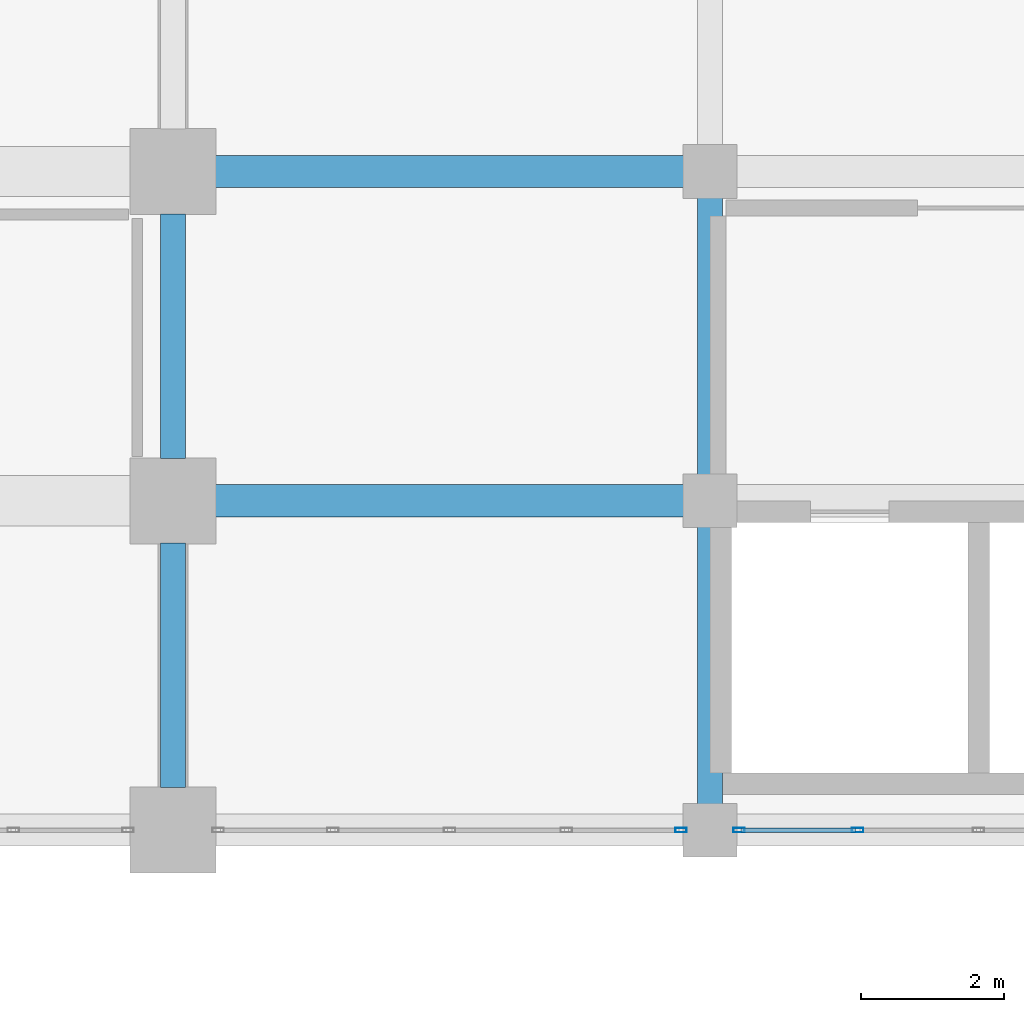
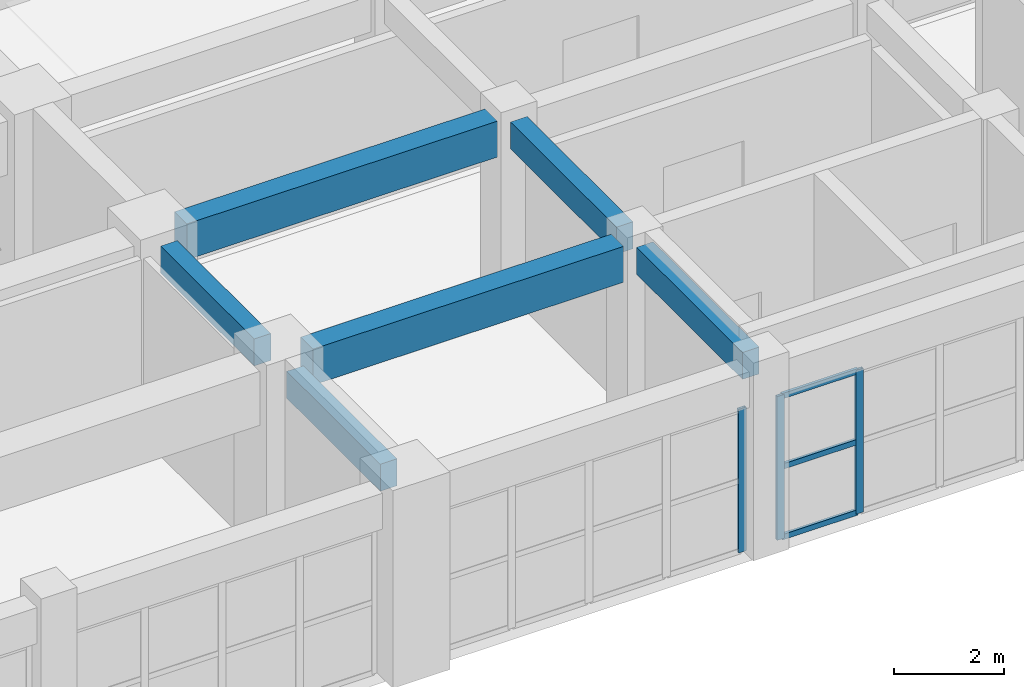
# One storey, part 41 of 116: 6 beams, 6 members, 2 elements without a shape of their own.
"""IFC4 building model written with IfcOpenShell, lengths in metres."""

from ifc_helpers import new_model, si_unit, direction, frame, origin, origin_2d, place, context, subcontext, project, spatial, rectangle, hollow_rectangle, extrude, material, layer, layer_set, material_profile, profile_set, type_object, element, aggregate, save


model = new_model("IFC4")

# Units and contexts
model_context = context("Model", 3, precision=1e-05, world=origin(), true_north=direction((0.0, 1.0)))
body_context = subcontext(model_context, "Body", "Model", "MODEL_VIEW")
ifc_project = project(units=[si_unit("LENGTHUNIT", "METRE"), si_unit("AREAUNIT", "SQUARE_METRE"), si_unit("VOLUMEUNIT", "CUBIC_METRE"), si_unit("PLANEANGLEUNIT", "RADIAN"), si_unit("MASSUNIT", "GRAM", prefix="KILO")], contexts=[model_context])

# Site, building, storey
site_placement = place(None, origin())
site = spatial("IfcSite", under=ifc_project, at=site_placement, CompositionType="ELEMENT")
building_placement = place(site_placement, origin())
building = spatial("IfcBuilding", under=site, at=building_placement, Name="Muzn Square Opera House", CompositionType="ELEMENT")
storey_placement = place(building_placement, frame((0.0, 0.0, 5.39990234375)))
storey = spatial("IfcBuildingStorey", under=building, at=storey_placement, Name="L01", CompositionType="ELEMENT", Elevation=5.39990234375)

# Curtain wall, member
ifc_material_1 = material(Name="Low-E laminated acoustic double glazing", Category="glass")
ifc_layer_1 = layer(ifc_material_1, 0.159912109375, Name="Low-E laminated acoustic double glazing", Category="glass")
ifc_layer_set_1 = layer_set([ifc_layer_1], Name="Low-E laminated acoustic double glazing")
curtain_wall_type_1 = type_object("IfcCurtainWallType", Name="Glazed Curtain Wall Forecourt 6525x3200", PredefinedType="USERDEFINED", material=ifc_layer_set_1)
curtain_wall_1_placement = place(storey_placement, origin())
curtain_wall_1 = element("IfcCurtainWall", 1, at=curtain_wall_1_placement, inside=storey, type_object=curtain_wall_type_1, Name="Glazed Curtain Wall CW-L01-009", ObjectType="GLAZED CURTAIN WALL", PredefinedType="USERDEFINED")
ifc_material_2 = material(Name="Anodised bronze aluminium 6063-T6", Category="metal")
ifc_material_profile_1 = material_profile(ifc_material_2, hollow_rectangle(XDim=0.06005859375, YDim=0.159912109375, WallThickness=0.00390625, at=origin_2d()), Name="ALU 160x60x4", Category="metal")
ifc_profile_set_1 = profile_set([ifc_material_profile_1], Name="Anodised bronze aluminium 6063-T6")
member_type_1 = type_object("IfcMemberType", Name="Curtain Wall Mullion 160x60", PredefinedType="MULLION", material=ifc_profile_set_1)
member_1_placement = place(storey_placement, frame((110.094970703125, 22.0, 0.0), z_axis=(0.0, 0.0, 1.0), x_axis=(0.0, 1.0, 0.0)))
member_1 = element("IfcMember", 2, at=member_1_placement, type_object=member_type_1, Name="CW-FC-65x32 mullion 5", PredefinedType="MULLION", context=body_context, shape_type="SweptSolid", body=[
    extrude(hollow_rectangle(XDim=0.06005859375, YDim=0.159912109375, WallThickness=0.00390625, at=origin_2d()), origin(), (0.0, 0.0, 1.0), 3.2001953125),
])
aggregate(curtain_wall_1, [member_1])

# Curtain wall, members
ifc_layer_2 = layer(ifc_material_1, 0.159912109375, Name="Low-E laminated acoustic double glazing", Category="glass")
ifc_layer_set_2 = layer_set([ifc_layer_2], Name="Low-E laminated acoustic double glazing")
curtain_wall_type_2 = type_object("IfcCurtainWallType", Name="Glazed Curtain Wall Forecourt 6750x3200", PredefinedType="USERDEFINED", material=ifc_layer_set_2)
curtain_wall_2_placement = place(storey_placement, origin())
curtain_wall_2 = element("IfcCurtainWall", 3, at=curtain_wall_2_placement, inside=storey, type_object=curtain_wall_type_2, Name="Glazed Curtain Wall CW-L01-010", ObjectType="GLAZED CURTAIN WALL", PredefinedType="USERDEFINED")
member_2_placement = place(storey_placement, frame((110.905029296875, 22.0, 0.0), z_axis=(0.0, 0.0, 1.0), x_axis=(0.0, 1.0, 0.0)))
member_2 = element("IfcMember", 4, at=member_2_placement, type_object=member_type_1, Name="CW-FC-67x32 mullion 1", PredefinedType="MULLION", context=body_context, shape_type="SweptSolid", body=[
    extrude(hollow_rectangle(XDim=0.06005859375, YDim=0.159912109375, WallThickness=0.00390625, at=origin_2d()), origin(), (0.0, 0.0, 1.0), 3.2001953125),
])
member_3_placement = place(storey_placement, frame((112.5625, 22.0, 0.0), z_axis=(0.0, 0.0, 1.0), x_axis=(0.0, 1.0, 0.0)))
member_3 = element("IfcMember", 5, at=member_3_placement, type_object=member_type_1, Name="CW-FC-67x32 mullion 2", PredefinedType="MULLION", context=body_context, shape_type="SweptSolid", body=[
    extrude(hollow_rectangle(XDim=0.06005859375, YDim=0.159912109375, WallThickness=0.00390625, at=origin_2d()), origin(), (0.0, 0.0, 1.0), 3.2001953125),
])
ifc_material_profile_2 = material_profile(ifc_material_2, hollow_rectangle(XDim=0.06005859375, YDim=0.1201171875, WallThickness=0.00390625, at=origin_2d()), Name="ALU 120x60x4", Category="metal")
ifc_profile_set_2 = profile_set([ifc_material_profile_2], Name="Anodised bronze aluminium 6063-T6")
member_type_2 = type_object("IfcMemberType", Name="Curtain Wall Transom 120x60", PredefinedType="USERDEFINED", material=ifc_profile_set_2)
member_4_placement = place(storey_placement, frame((110.93505859375, 22.0, 0.030029296875), z_axis=(1.0, 0.0, 0.0), x_axis=(0.0, 1.0, 0.0)))
member_4 = element("IfcMember", 6, at=member_4_placement, type_object=member_type_2, Name="CW-FC-67x32 transom 1.1", ObjectType="TRANSOM", PredefinedType="USERDEFINED", context=body_context, shape_type="SweptSolid", body=[
    extrude(hollow_rectangle(XDim=0.06005859375, YDim=0.1201171875, WallThickness=0.00390625, at=origin_2d()), origin(), (0.0, 0.0, 1.0), 1.597412109375),
])
member_5_placement = place(storey_placement, frame((110.93505859375, 22.0, 1.60009765625), z_axis=(1.0, 0.0, 0.0), x_axis=(0.0, 1.0, 0.0)))
member_5 = element("IfcMember", 7, at=member_5_placement, type_object=member_type_2, Name="CW-FC-67x32 transom 1.2", ObjectType="TRANSOM", PredefinedType="USERDEFINED", context=body_context, shape_type="SweptSolid", body=[
    extrude(hollow_rectangle(XDim=0.06005859375, YDim=0.1201171875, WallThickness=0.00390625, at=origin_2d()), origin(), (0.0, 0.0, 1.0), 1.597412109375),
])
member_6_placement = place(storey_placement, frame((110.93505859375, 22.0, 3.170166015625), z_axis=(1.0, 0.0, 0.0), x_axis=(0.0, 1.0, 0.0)))
member_6 = element("IfcMember", 8, at=member_6_placement, type_object=member_type_2, Name="CW-FC-67x32 transom 1.3", ObjectType="TRANSOM", PredefinedType="USERDEFINED", context=body_context, shape_type="SweptSolid", body=[
    extrude(hollow_rectangle(XDim=0.06005859375, YDim=0.1201171875, WallThickness=0.00390625, at=origin_2d()), origin(), (0.0, 0.0, 1.0), 1.597412109375),
])
aggregate(curtain_wall_2, [member_2, member_3, member_4, member_5, member_6])

# Beams
ifc_material_3 = material(Name="Concrete C40/50", Category="concrete")
ifc_material_profile_3 = material_profile(ifc_material_3, rectangle(XDim=0.35009765625, YDim=0.60009765625, at=origin_2d()), Name="RCB 350x600", Category="concrete")
ifc_profile_set_3 = profile_set([ifc_material_profile_3], Name="Concrete C40/50")
beam_type_1 = type_object("IfcBeamType", Name="Primary Girder 350x600", PredefinedType="BEAM", material=ifc_profile_set_3)
for number, where, z_axis, x_axis, name in (
    (9, (103.0, 22.592041015625, 3.820068359375), (0.0, 1.0, 0.0), (-1.0, 0.0, 0.0), "Primary Girder BM-L01-BM-PG600-1030_226_1030_260-1656"),
    (10, (103.0, 27.19189453125, 3.820068359375), (0.0, 1.0, 0.0), (-1.0, 0.0, 0.0), "Primary Girder BM-L01-BM-PG600-1030_272_1030_306-1657"),
):
    element("IfcBeam", number, at=place(storey_placement, frame(where, z_axis=z_axis, x_axis=x_axis)), inside=storey, type_object=beam_type_1, Name=name, PredefinedType="BEAM", context=body_context, shape_type="SweptSolid", body=[
        extrude(rectangle(XDim=0.35009765625, YDim=0.60009765625, at=origin_2d()), origin(), (0.0, 0.0, 1.0), 3.416015625),
    ])
for number, where, z_axis, x_axis, name in (
    (11, (110.5, 22.366943359375, 3.820068359375), (0.0, 1.0, 0.0), (-1.0, 0.0, 0.0), "Primary Girder BM-L01-BM-PG600-1105_224_1105_262-1668"),
    (12, (110.5, 26.967041015625, 3.820068359375), (0.0, 1.0, 0.0), (-1.0, 0.0, 0.0), "Primary Girder BM-L01-BM-PG600-1105_270_1105_308-1669"),
):
    element("IfcBeam", number, at=place(storey_placement, frame(where, z_axis=z_axis, x_axis=x_axis)), inside=storey, type_object=beam_type_1, Name=name, PredefinedType="BEAM", context=body_context, shape_type="SweptSolid", body=[
        extrude(rectangle(XDim=0.35009765625, YDim=0.60009765625, at=origin_2d()), origin(), (0.0, 0.0, 1.0), 3.865966796875),
    ])
ifc_material_profile_4 = material_profile(ifc_material_3, rectangle(XDim=0.449951171875, YDim=0.800048828125, at=origin_2d()), Name="RCB 450x800", Category="concrete")
ifc_profile_set_4 = profile_set([ifc_material_profile_4], Name="Concrete C40/50")
beam_type_2 = type_object("IfcBeamType", Name="Primary Girder 450x800", PredefinedType="BEAM", material=ifc_profile_set_4)
for number, where, z_axis, x_axis, name in (
    (13, (103.592041015625, 26.60009765625, 3.72021484375), (1.0, 0.0, 0.0), (0.0, 1.0, 0.0), "Primary Girder BM-L01-BM-PG800-1036_266_1101_266-1304"),
    (14, (103.592041015625, 31.199951171875, 3.72021484375), (1.0, 0.0, 0.0), (0.0, 1.0, 0.0), "Primary Girder BM-L01-BM-PG800-1036_312_1101_312-1323"),
):
    element("IfcBeam", number, at=place(storey_placement, frame(where, z_axis=z_axis, x_axis=x_axis)), inside=storey, type_object=beam_type_2, Name=name, PredefinedType="BEAM", context=body_context, shape_type="SweptSolid", body=[
        extrude(rectangle(XDim=0.449951171875, YDim=0.800048828125, at=origin_2d()), origin(), (0.0, 0.0, 1.0), 6.541015625),
    ])

save(model, "model.ifc")
